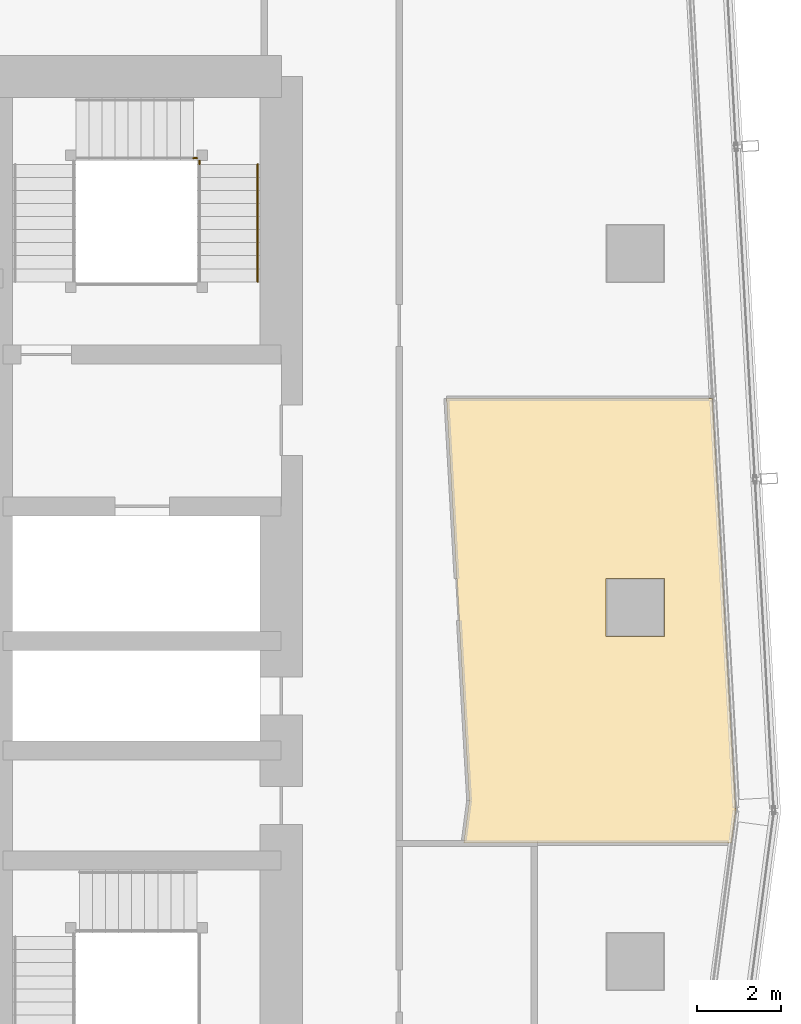
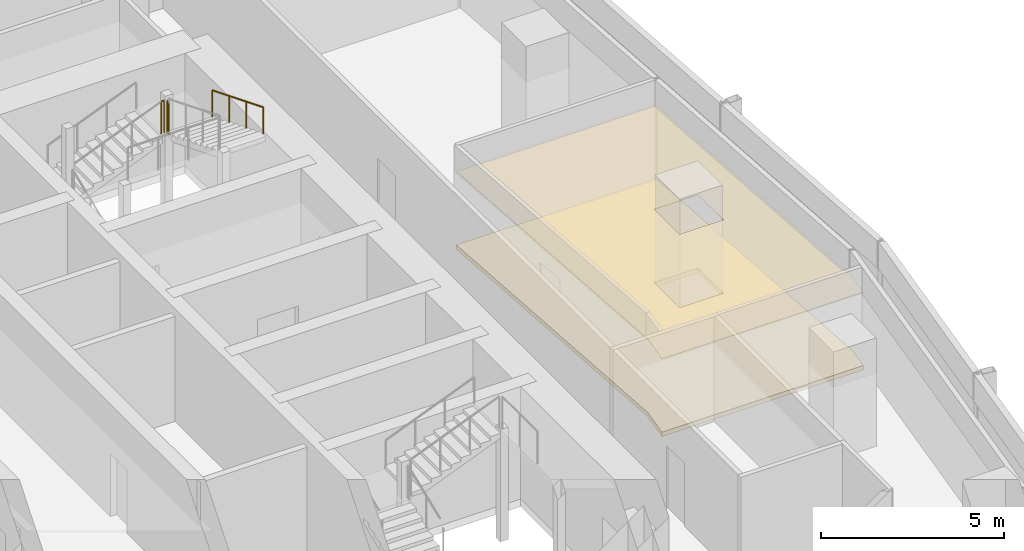
# One storey, part 38 of 39: 3 railings, 2 coverings.
"""IFC4 building model written with IfcOpenShell, lengths in metres."""

from ifc_helpers import new_model, si_unit, direction, frame, origin, origin_2d, place, context, subcontext, project, spatial, polyline, circle, outline, extrude, material, layer, layer_set, type_object, element, save


model = new_model("IFC4")

# Units and contexts
model_context = context("Model", 3, precision=1e-05, world=origin(), true_north=direction((0.0, 1.0)))
body_context = subcontext(model_context, "Body", "Model", "MODEL_VIEW")
ifc_project = project(units=[si_unit("LENGTHUNIT", "METRE"), si_unit("AREAUNIT", "SQUARE_METRE"), si_unit("VOLUMEUNIT", "CUBIC_METRE"), si_unit("PLANEANGLEUNIT", "RADIAN"), si_unit("MASSUNIT", "GRAM", prefix="KILO")], contexts=[model_context])

# Site, building, storey
site_placement = place(None, origin())
site = spatial("IfcSite", under=ifc_project, at=site_placement, CompositionType="ELEMENT")
building_placement = place(site_placement, origin())
building = spatial("IfcBuilding", under=site, at=building_placement, Name="Rekha Terrace Tower", CompositionType="ELEMENT")
storey_placement = place(building_placement, frame((0.0, 0.0, 217.699951171875)))
storey = spatial("IfcBuildingStorey", under=building, at=storey_placement, Name="L55", CompositionType="ELEMENT", Elevation=217.699951171875)

# Covering
ifc_material_1 = material(Name="Mineral fibre tile in exposed grid", Category="finish")
ifc_layer_1 = layer(ifc_material_1, 0.02001953125)
ifc_layer_set_1 = layer_set([ifc_layer_1], Name="Mineral fibre tile in exposed grid")
covering_type_1 = type_object("IfcCoveringType", Name="CL1 600x1200 office grid ceiling", PredefinedType="CEILING", material=ifc_layer_set_1)
covering_1_placement = place(storey_placement, frame((0.0, 0.0, 2.580078125)))
element("IfcCovering", 1, at=covering_1_placement, inside=storey, type_object=covering_type_1, Name="Ceiling L55-04", PredefinedType="CEILING", context=body_context, shape_type="SweptSolid", body=[
    extrude(outline(polyline([(54.862060546875, 29.01708984375), (54.72900390625, 28.013916015625), (61.083984375, 28.013916015625), (61.18603515625, 28.780029296875), (60.631103515625, 38.554931640625), (54.321044921875, 38.554931640625), (54.862060546875, 29.01708984375)]), holes=[polyline([(59.489990234375, 34.2900390625), (59.489990234375, 32.909912109375), (58.110107421875, 32.909912109375), (58.110107421875, 34.2900390625), (59.489990234375, 34.2900390625)])]), origin(), (0.0, 0.0, 1.0), 0.02001953125),
])

# Railings
ifc_material_2 = material(Name="Stainless steel balustrade", Category="steel")
railing_type_1 = type_object("IfcRailingType", Name="GR1 1100 stair guard", PredefinedType="GUARDRAIL", material=ifc_material_2)
railing_1_placement = place(storey_placement, frame((48.31494140625, 44.260009765625, 2.5)))
element("IfcRailing", 2, at=railing_1_placement, inside=storey, type_object=railing_type_1, Name="Guard ST2 L55 landing 2", PredefinedType="GUARDRAIL", context=body_context, shape_type="SweptSolid", body=[
    extrude(circle(Radius=0.02392578125, at=origin_2d()), frame((0.0, 0.0, 1.076171875), z_axis=(1.0, 0.0, 0.0), x_axis=(0.0, 1.0, 0.0)), (0.0, 0.0, 1.0), 0.0849609375),
    extrude(circle(Radius=0.02099609375, at=origin_2d()), origin(), (0.0, 0.0, 1.0), 1.052001953125),
    extrude(circle(Radius=0.02099609375, at=origin_2d()), frame((0.0849609375, 0.0, 0.0)), (0.0, 0.0, 1.0), 1.052001953125),
])
railing_2_placement = place(storey_placement, frame((48.4599609375, 44.114990234375, 2.5)))
element("IfcRailing", 3, at=railing_2_placement, inside=storey, type_object=railing_type_1, Name="Guard ST2 L55 landing 3", PredefinedType="GUARDRAIL", context=body_context, shape_type="SweptSolid", body=[
    extrude(circle(Radius=0.02392578125, at=origin_2d()), frame((0.0, 0.0, 1.076171875), z_axis=(0.0, 1.0, 0.0), x_axis=(-1.0, 0.0, 0.0)), (0.0, 0.0, 1.0), 0.0849609375),
    extrude(circle(Radius=0.02099609375, at=origin_2d()), origin(), (0.0, 0.0, 1.0), 1.052001953125),
    extrude(circle(Radius=0.02099609375, at=origin_2d()), frame((0.0, 0.0849609375, 0.0)), (0.0, 0.0, 1.0), 1.052001953125),
])
ifc_material_3 = material(Name="Stainless steel tube", Category="steel")
railing_type_2 = type_object("IfcRailingType", Name="HR1 900 stair handrail", PredefinedType="HANDRAIL", material=ifc_material_3)
railing_3_placement = place(storey_placement, frame((49.840087890625, 44.114990234375, 2.625)))
element("IfcRailing", 4, at=railing_3_placement, inside=storey, type_object=railing_type_2, Name="Handrail ST2 L55 flight 3", PredefinedType="HANDRAIL", context=body_context, shape_type="SweptSolid", body=[
    extrude(circle(Radius=0.02392578125, at=origin_2d()), frame((0.0, 0.0, 0.8759765625), z_axis=(0.0, -0.927443287984, 0.373963831907), x_axis=(1.0, 0.0, 0.0)), (0.0, 0.0, 1.0), 3.00830078125),
    extrude(circle(Radius=0.02099609375, at=origin_2d()), origin(), (0.0, 0.0, 1.0), 0.851806640625),
    extrude(circle(Radius=0.02099609375, at=origin_2d()), frame((0.0, -0.929931640625, 0.375)), (0.0, 0.0, 1.0), 0.851806640625),
    extrude(circle(Radius=0.02099609375, at=origin_2d()), frame((0.0, -1.860107421875, 0.75)), (0.0, 0.0, 1.0), 0.851806640625),
    extrude(circle(Radius=0.02099609375, at=origin_2d()), frame((0.0, -2.7900390625, 1.125)), (0.0, 0.0, 1.0), 0.851806640625),
])

# Covering
ifc_material_4 = material(Name="Calcium sulphate panels on steel pedestals", Category="steel")
ifc_layer_2 = layer(ifc_material_4, 0.14990234375)
ifc_layer_set_2 = layer_set([ifc_layer_2], Name="Calcium sulphate panels on steel pedestals")
covering_type_2 = type_object("IfcCoveringType", Name="RF1 150 raised access floor", PredefinedType="FLOORING", material=ifc_layer_set_2)
covering_2_placement = place(storey_placement, origin())
element("IfcCovering", 5, at=covering_2_placement, inside=storey, type_object=covering_type_2, Name="Raised floor L55-04", PredefinedType="FLOORING", context=body_context, shape_type="SweptSolid", body=[
    extrude(outline(polyline([(54.862060546875, 29.01708984375), (54.72900390625, 28.013916015625), (61.083984375, 28.013916015625), (61.18603515625, 28.780029296875), (60.631103515625, 38.554931640625), (54.321044921875, 38.554931640625), (54.862060546875, 29.01708984375)]), holes=[polyline([(59.489990234375, 34.2900390625), (59.489990234375, 32.909912109375), (58.110107421875, 32.909912109375), (58.110107421875, 34.2900390625), (59.489990234375, 34.2900390625)])]), origin(), (0.0, 0.0, 1.0), 0.150146484375),
])

save(model, "model.ifc")
